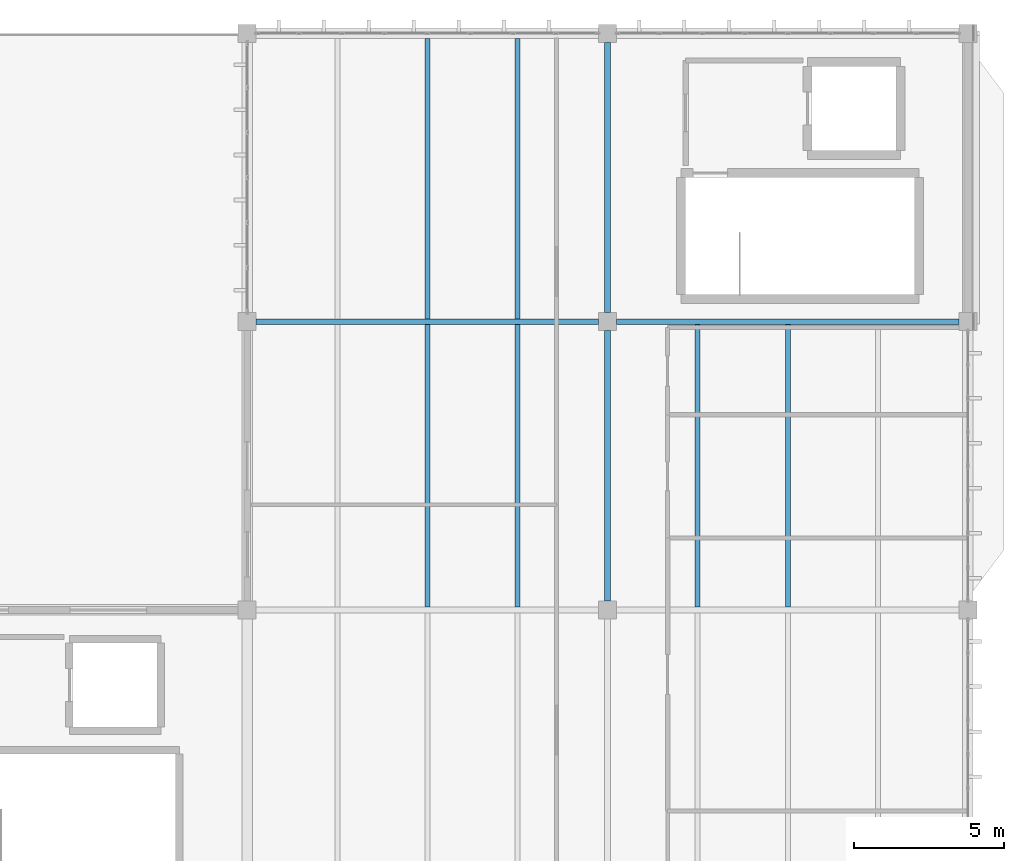
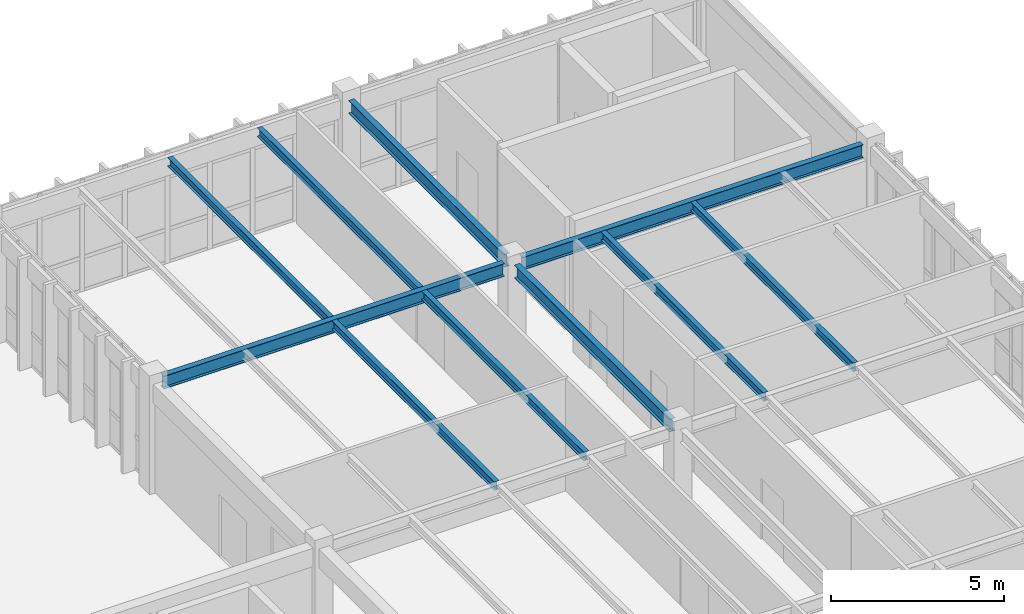
# One storey, part 15 of 28: 10 beams.
"""IFC4 building model written with IfcOpenShell, lengths in metres."""

from ifc_helpers import new_model, si_unit, direction, frame, origin, origin_2d, place, context, subcontext, project, spatial, i_section, extrude, material, material_profile, profile_set, type_object, element, save


model = new_model("IFC4")

# Units and contexts
model_context = context("Model", 3, precision=1e-05, world=origin(), true_north=direction((0.0, 1.0)))
body_context = subcontext(model_context, "Body", "Model", "MODEL_VIEW")
ifc_project = project(units=[si_unit("LENGTHUNIT", "METRE"), si_unit("AREAUNIT", "SQUARE_METRE"), si_unit("VOLUMEUNIT", "CUBIC_METRE"), si_unit("PLANEANGLEUNIT", "RADIAN"), si_unit("MASSUNIT", "GRAM", prefix="KILO")], contexts=[model_context])

# Site, building, storey
site_placement = place(None, origin())
site = spatial("IfcSite", under=ifc_project, at=site_placement, CompositionType="ELEMENT")
building_placement = place(site_placement, origin())
building = spatial("IfcBuilding", under=site, at=building_placement, Name="Pandanus Reach Market Hall", CompositionType="ELEMENT")
storey_placement = place(building_placement, frame((0.0, 0.0, 18.60009765625)))
storey = spatial("IfcBuildingStorey", under=building, at=storey_placement, Name="L04", CompositionType="ELEMENT", Elevation=18.60009765625)

# Beams
ifc_material = material(Name="Steel Grade 350 (350 MPa)", Category="steel")
ifc_material_profile_1 = material_profile(ifc_material, i_section(OverallWidth=0.18994140625, OverallDepth=0.45703125, WebThickness=0.009033203125, FlangeThickness=0.014404296875, at=origin_2d()), Name="460UB74.6", Category="LoadBearing")
ifc_profile_set_1 = profile_set([ifc_material_profile_1], Name="Steel Grade 350 (350 MPa)")
beam_type_1 = type_object("IfcBeamType", Name="BM-UB460-I", PredefinedType="BEAM", material=ifc_profile_set_1)
for number, where, z_axis, x_axis, name in (
    (1, (156.298095703125, 67.199951171875, 3.631103515625), (1.0, 0.0, 0.0), (0.0, 1.0, 0.0), "Framing beam BM-UB460-I L04.618"),
    (2, (168.298095703125, 67.199951171875, 3.631103515625), (1.0, 0.0, 0.0), (0.0, 1.0, 0.0), "Framing beam BM-UB460-I L04.619"),
):
    element("IfcBeam", number, at=place(storey_placement, frame(where, z_axis=z_axis, x_axis=x_axis)), inside=storey, type_object=beam_type_1, Name=name, PredefinedType="BEAM", context=body_context, shape_type="SweptSolid", body=[
        extrude(i_section(OverallWidth=0.18994140625, OverallDepth=0.45703125, WebThickness=0.009033203125, FlangeThickness=0.014404296875, at=origin_2d()), origin(), (0.0, 0.0, 1.0), 11.40380859375),
    ])
beam_1_placement = place(storey_placement, frame((168.0, 57.89794921875, 3.631103515625), z_axis=(0.0, 1.0, 0.0), x_axis=(-1.0, 0.0, 0.0)))
element("IfcBeam", 3, at=beam_1_placement, inside=storey, type_object=beam_type_1, Name="Framing beam BM-UB460-I L04.630", PredefinedType="BEAM", context=body_context, shape_type="SweptSolid", body=[
    extrude(i_section(OverallWidth=0.18994140625, OverallDepth=0.45703125, WebThickness=0.009033203125, FlangeThickness=0.014404296875, at=origin_2d()), origin(), (0.0, 0.0, 1.0), 9.004150390625),
])
beam_2_placement = place(storey_placement, frame((168.0, 67.498046875, 3.631103515625), z_axis=(0.0, 1.0, 0.0), x_axis=(-1.0, 0.0, 0.0)))
element("IfcBeam", 4, at=beam_2_placement, inside=storey, type_object=beam_type_1, Name="Framing beam BM-UB460-I L04.631", PredefinedType="BEAM", context=body_context, shape_type="SweptSolid", body=[
    extrude(i_section(OverallWidth=0.18994140625, OverallDepth=0.45703125, WebThickness=0.009033203125, FlangeThickness=0.014404296875, at=origin_2d()), origin(), (0.0, 0.0, 1.0), 9.00390625),
])
ifc_material_profile_2 = material_profile(ifc_material, i_section(OverallWidth=0.1650390625, OverallDepth=0.303955078125, WebThickness=0.006103515625, FlangeThickness=0.01025390625, at=origin_2d()), Name="310UB40.4", Category="LoadBearing")
ifc_profile_set_2 = profile_set([ifc_material_profile_2], Name="Steel Grade 350 (350 MPa)")
beam_type_2 = type_object("IfcBeamType", Name="JS-UB310-I", PredefinedType="JOIST", material=ifc_profile_set_2)
for number, where, z_axis, x_axis, name in (
    (5, (162.0, 57.693115234375, 3.70751953125), (0.0, 1.0, 0.0), (-1.0, 0.0, 0.0), "Secondary joist JS-UB310-I L04.647"),
    (6, (165.0, 57.693115234375, 3.70751953125), (0.0, 1.0, 0.0), (-1.0, 0.0, 0.0), "Secondary joist JS-UB310-I L04.648"),
):
    element("IfcBeam", number, at=place(storey_placement, frame(where, z_axis=z_axis, x_axis=x_axis)), inside=storey, type_object=beam_type_2, Name=name, PredefinedType="JOIST", context=body_context, shape_type="SweptSolid", body=[
        extrude(i_section(OverallWidth=0.1650390625, OverallDepth=0.303955078125, WebThickness=0.006103515625, FlangeThickness=0.01025390625, at=origin_2d()), origin(), (0.0, 0.0, 1.0), 9.413818359375),
    ])
for number, where, z_axis, x_axis, name in (
    (7, (162.0, 67.29296875, 3.70751953125), (0.0, 1.0, 0.0), (-1.0, 0.0, 0.0), "Secondary joist JS-UB310-I L04.650"),
    (8, (165.0, 67.29296875, 3.70751953125), (0.0, 1.0, 0.0), (-1.0, 0.0, 0.0), "Secondary joist JS-UB310-I L04.651"),
):
    element("IfcBeam", number, at=place(storey_placement, frame(where, z_axis=z_axis, x_axis=x_axis)), inside=storey, type_object=beam_type_2, Name=name, PredefinedType="JOIST", context=body_context, shape_type="SweptSolid", body=[
        extrude(i_section(OverallWidth=0.1650390625, OverallDepth=0.303955078125, WebThickness=0.006103515625, FlangeThickness=0.01025390625, at=origin_2d()), origin(), (0.0, 0.0, 1.0), 9.333984375),
    ])
for number, where, z_axis, x_axis, name in (
    (9, (171.0, 57.693115234375, 3.70751953125), (0.0, 1.0, 0.0), (-1.0, 0.0, 0.0), "Secondary joist JS-UB310-I L04.658"),
    (10, (174.0, 57.693115234375, 3.70751953125), (0.0, 1.0, 0.0), (-1.0, 0.0, 0.0), "Secondary joist JS-UB310-I L04.659"),
):
    element("IfcBeam", number, at=place(storey_placement, frame(where, z_axis=z_axis, x_axis=x_axis)), inside=storey, type_object=beam_type_2, Name=name, PredefinedType="JOIST", context=body_context, shape_type="SweptSolid", body=[
        extrude(i_section(OverallWidth=0.1650390625, OverallDepth=0.303955078125, WebThickness=0.006103515625, FlangeThickness=0.01025390625, at=origin_2d()), origin(), (0.0, 0.0, 1.0), 9.413818359375),
    ])

save(model, "model.ifc")
